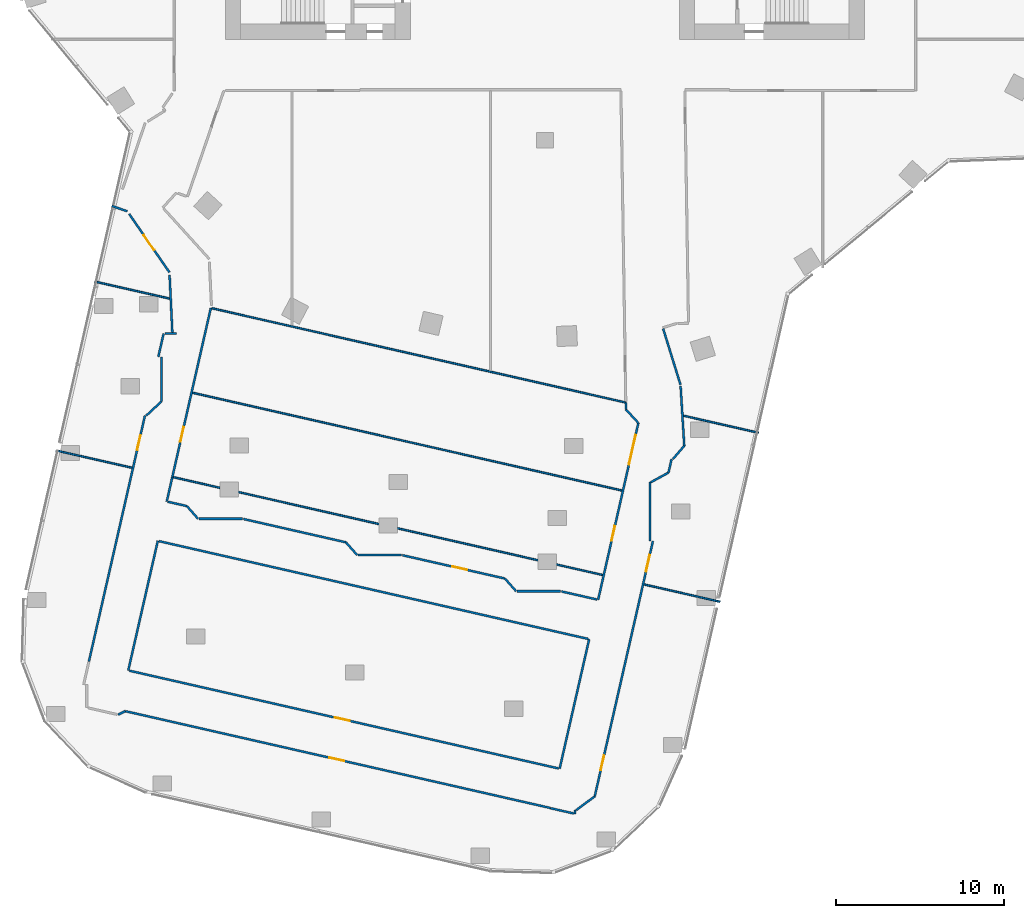
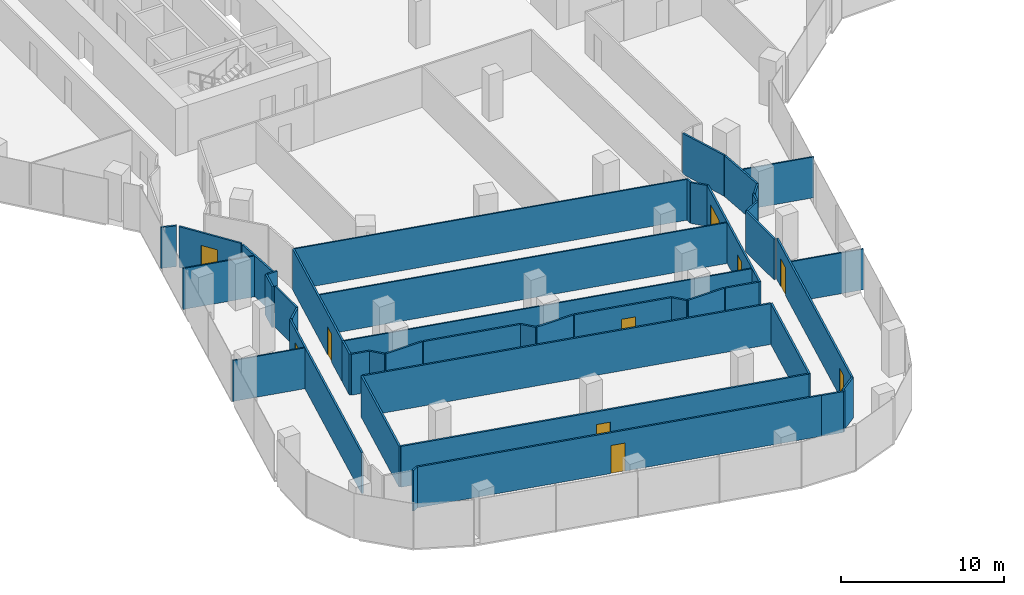
# One storey, part 18 of 24: 46 walls, 10 doors, 10 openings.
"""IFC4 building model written with IfcOpenShell, lengths in metres."""

from ifc_helpers import new_model, si_unit, direction, frame, frame_2d, origin, place, context, subcontext, project, spatial, rectangle, extrude, material, layer, layer_set, type_object, element, fill, save


model = new_model("IFC4")

# Units and contexts
model_context = context("Model", 3, precision=1e-05, world=origin(), true_north=direction((0.0, 1.0)))
body_context = subcontext(model_context, "Body", "Model", "MODEL_VIEW")
ifc_project = project(units=[si_unit("LENGTHUNIT", "METRE"), si_unit("AREAUNIT", "SQUARE_METRE"), si_unit("VOLUMEUNIT", "CUBIC_METRE"), si_unit("PLANEANGLEUNIT", "RADIAN"), si_unit("MASSUNIT", "GRAM", prefix="KILO")], contexts=[model_context])

# Site, building, storey
site_placement = place(None, origin())
site = spatial("IfcSite", under=ifc_project, at=site_placement, CompositionType="ELEMENT")
building_placement = place(site_placement, origin())
building = spatial("IfcBuilding", under=site, at=building_placement, Name="Orlundy Tower", CompositionType="ELEMENT")
storey_placement = place(building_placement, frame((0.0, 0.0, 177.60009765625)))
storey = spatial("IfcBuildingStorey", under=building, at=storey_placement, Name="L46", CompositionType="ELEMENT", Elevation=177.60009765625)

# Walls
ifc_material_1 = material(Name="Gypsum board partition")
ifc_layer_1 = layer(ifc_material_1, 0.10009765625)
ifc_layer_set_1 = layer_set([ifc_layer_1], Name="Floor partition 100")
wall_type_1 = type_object("IfcWallType", Name="Floor partition 100", PredefinedType="PARTITIONING", material=ifc_layer_set_1)
wall_1_placement = place(storey_placement, frame((-29.072998046875, -36.452880859375, 0.0), z_axis=(0.0, 0.0, 1.0), x_axis=(0.975041099452, -0.222024445455, 0.0)))
element("IfcWall", 1, at=wall_1_placement, inside=storey, type_object=wall_type_1, Name="wall-int-L46-023", PredefinedType="PARTITIONING", context=body_context, shape_type="SweptSolid", body=[
    extrude(rectangle(XDim=4.63037109375, YDim=0.10009765625, at=frame_2d((2.315185546875, 0.0))), origin(), (0.0, 0.0, 1.0), 3.059814453125),
])
wall_2_placement = place(storey_placement, frame((-22.094970703125, -38.04296875, 0.0), z_axis=(0.0, 0.0, 1.0), x_axis=(0.975023843859, -0.222100211404, 0.0)))
element("IfcWall", 2, at=wall_2_placement, inside=storey, type_object=wall_type_1, Name="wall-int-L46-024", PredefinedType="PARTITIONING", context=body_context, shape_type="SweptSolid", body=[
    extrude(rectangle(XDim=26.18603515625, YDim=0.10009765625, at=frame_2d((13.093017578125, 0.0))), origin(), (0.0, 0.0, 1.0), 3.059814453125),
])
wall_3_placement = place(storey_placement, frame((5.89990234375, -44.419921875, 0.0), z_axis=(0.0, 0.0, 1.0), x_axis=(0.975008438008, -0.222167832534, 0.0)))
element("IfcWall", 3, at=wall_3_placement, inside=storey, type_object=wall_type_1, Name="wall-int-L46-025", PredefinedType="PARTITIONING", context=body_context, shape_type="SweptSolid", body=[
    extrude(rectangle(XDim=4.6318359375, YDim=0.10009765625, at=frame_2d((2.31591796875, 0.0))), origin(), (0.0, 0.0, 1.0), 3.059814453125),
])
wall_4_placement = place(storey_placement, frame((-20.950927734375, -33.01904296875, 0.0), z_axis=(0.0, 0.0, 1.0), x_axis=(0.975025683381, -0.222092135715, 0.0)))
element("IfcWall", 4, at=wall_4_placement, inside=storey, type_object=wall_type_1, Name="wall-int-L46-026", PredefinedType="PARTITIONING", context=body_context, shape_type="SweptSolid", body=[
    extrude(rectangle(XDim=26.18701171875, YDim=0.10009765625, at=frame_2d((13.093505859375, 0.0))), origin(), (0.0, 0.0, 1.0), 3.059814453125),
])
wall_5_placement = place(storey_placement, frame((-26.783935546875, -26.404052734375, 0.0), z_axis=(0.0, 0.0, 1.0), x_axis=(0.975064044209, -0.221923657346, 0.0)))
element("IfcWall", 5, at=wall_5_placement, inside=storey, type_object=wall_type_1, Name="wall-int-L46-027", PredefinedType="PARTITIONING", context=body_context, shape_type="SweptSolid", body=[
    extrude(rectangle(XDim=4.56884765625, YDim=0.10009765625, at=frame_2d((2.284423828125, 0.0))), origin(), (0.0, 0.0, 1.0), 3.059814453125),
])
wall_6_placement = place(storey_placement, frame((-19.805908203125, -27.993896484375, 0.0), z_axis=(0.0, 0.0, 1.0), x_axis=(0.975005878079, -0.222179066769, 0.0)))
element("IfcWall", 6, at=wall_6_placement, inside=storey, type_object=wall_type_1, Name="wall-int-L46-028", PredefinedType="PARTITIONING", context=body_context, shape_type="SweptSolid", body=[
    extrude(rectangle(XDim=25.24609375, YDim=0.10009765625, at=frame_2d((12.623046875, 0.0))), origin(), (0.0, 0.0, 1.0), 3.059814453125),
])
wall_7_placement = place(storey_placement, frame((8.256103515625, -34.386962890625, 0.0), z_axis=(0.0, 0.0, 1.0), x_axis=(0.975047109618, -0.221998049597, 0.0)))
element("IfcWall", 7, at=wall_7_placement, inside=storey, type_object=wall_type_1, Name="wall-int-L46-029", PredefinedType="PARTITIONING", context=body_context, shape_type="SweptSolid", body=[
    extrude(rectangle(XDim=4.562744140625, YDim=0.10009765625, at=frame_2d((2.28125, 0.0))), origin(), (0.0, 0.0, 1.0), 3.059814453125),
])
ifc_material_2 = material(Name="Gypsum board partition, double layer")
ifc_layer_2 = layer(ifc_material_2, 0.125)
ifc_layer_set_2 = layer_set([ifc_layer_2], Name="Floor partition 125")
wall_type_2 = type_object("IfcWallType", Name="Floor partition 125", PredefinedType="PARTITIONING", material=ifc_layer_set_2)
wall_8_placement = place(storey_placement, frame((4.81298828125, -33.60205078125, 0.0), z_axis=(0.0, 0.0, 1.0), x_axis=(0.014888165056, -0.999889165128, 0.0)))
element("IfcWall", 8, at=wall_8_placement, inside=storey, type_object=wall_type_2, Name="wall-int-L46-002", PredefinedType="PARTITIONING", context=body_context, shape_type="SweptSolid", body=[
    extrude(rectangle(XDim=0.409912109375, YDim=0.125, at=frame_2d((0.205078125, 0.0))), origin(), (0.0, 0.0, 1.0), 3.059814453125),
])
wall_9_placement = place(storey_placement, frame((-22.322021484375, -26.007080078125, 0.0), z_axis=(0.0, 0.0, 1.0), x_axis=(0.048573949442, -0.998819589033, 0.0)))
element("IfcWall", 9, at=wall_9_placement, inside=storey, type_object=wall_type_2, Name="wall-int-L46-005", PredefinedType="PARTITIONING", context=body_context, shape_type="SweptSolid", body=[
    extrude(rectangle(XDim=3.43798828125, YDim=0.125, at=frame_2d((1.718994140625, 0.0))), origin(), (0.0, 0.0, 1.0), 3.059814453125),
])
wall_10_placement = place(storey_placement, frame((8.069091796875, -32.60888671875, 0.0), z_axis=(0.0, 0.0, 1.0), x_axis=(0.061565744527, -0.998103030303, 0.0)))
element("IfcWall", 10, at=wall_10_placement, inside=storey, type_object=wall_type_2, Name="wall-int-L46-007", PredefinedType="PARTITIONING", context=body_context, shape_type="SweptSolid", body=[
    extrude(rectangle(XDim=3.572998046875, YDim=0.125, at=frame_2d((1.78662109375, 0.0))), origin(), (0.0, 0.0, 1.0), 3.059814453125),
])
wall_11_placement = place(storey_placement, frame((7.033935546875, -29.2109375, 0.0), z_axis=(0.0, 0.0, 1.0), x_axis=(0.295358504145, -0.955386494582, 0.0)))
element("IfcWall", 11, at=wall_11_placement, inside=storey, type_object=wall_type_2, Name="wall-int-L46-008", PredefinedType="PARTITIONING", context=body_context, shape_type="SweptSolid", body=[
    extrude(rectangle(XDim=3.49072265625, YDim=0.125, at=frame_2d((1.745361328125, 0.0))), origin(), (0.0, 0.0, 1.0), 3.059814453125),
])

# Wall, opening, door
wall_12_placement = place(storey_placement, frame((-22.3291015625, -25.85693359375, 0.0), z_axis=(0.0, 0.0, 1.0), x_axis=(-0.567768105219, 0.823188543832, 0.0)))
wall_12 = element("IfcWall", 12, at=wall_12_placement, inside=storey, type_object=wall_type_2, Name="wall-int-L46-010", PredefinedType="PARTITIONING", context=body_context, shape_type="SweptSolid", body=[
    extrude(rectangle(XDim=4.219970703125, YDim=0.125, at=frame_2d((2.10986328125, 0.0))), origin(), (0.0, 0.0, 1.0), 3.059814453125),
])
opening_1_placement = place(wall_12_placement, frame((1.60009765625, 0.0, 0.0)))
opening_1 = element("IfcOpeningElement", 13, at=opening_1_placement, cuts=wall_12, Name="Opening 35112", PredefinedType="OPENING", context=body_context, shape_type="SweptSolid", body=[
    extrude(rectangle(XDim=1.10009765625, YDim=2.10009765625, at=frame_2d((0.550048828125, 1.050048828125))), frame((0.0, 0.072509765625, 0.0), z_axis=(0.0, -1.0, 0.0), x_axis=(1.0, 0.0, 0.0)), (0.0, 0.0, 1.0), 0.14501953125),
])
ifc_material_3 = material(Name="Timber door leaf", Category="wood")
door_type_1 = type_object("IfcDoorType", Name="Floor door xwide 1100 FD30S", OperationType="NOTDEFINED", PredefinedType="DOOR", material=ifc_material_3)
door_1_placement = place(opening_1_placement, origin())
door_1 = element("IfcDoor", 14, at=door_1_placement, inside=storey, type_object=door_type_1, Name="Door 35112", OperationType="SINGLE_SWING_RIGHT", OverallHeight=2.10009765625, OverallWidth=1.10009765625, PredefinedType="DOOR", context=body_context, shape_type="SweptSolid", body=[
    extrude(rectangle(XDim=1.10009765625, YDim=2.10009765625, at=frame_2d((0.550048828125, 1.050048828125))), frame((0.0, 0.02490234375, 0.0), z_axis=(0.0, -1.0, 0.0), x_axis=(1.0, 0.0, 0.0)), (0.0, 0.0, 1.0), 0.050048828125),
])
fill(opening_1, door_1)

# Walls
wall_13_placement = place(storey_placement, frame((-25.760009765625, -21.909912109375, 0.0), z_axis=(0.0, 0.0, 1.0), x_axis=(0.946161976611, -0.323693549544, 0.0)))
element("IfcWall", 15, at=wall_13_placement, inside=storey, type_object=wall_type_2, Name="wall-int-L46-013", PredefinedType="PARTITIONING", context=body_context, shape_type="SweptSolid", body=[
    extrude(rectangle(XDim=0.979736328125, YDim=0.125, at=frame_2d((0.48974609375, 0.0))), origin(), (0.0, 0.0, 1.0), 3.059814453125),
])
wall_14_placement = place(storey_placement, frame((0.342041015625, -57.72900390625, 0.0), z_axis=(0.0, 0.0, 1.0), x_axis=(0.975078596589, -0.22185970899, 0.0)))
element("IfcWall", 16, at=wall_14_placement, inside=storey, type_object=wall_type_2, Name="wall-int-L46-015", PredefinedType="PARTITIONING", context=body_context, shape_type="SweptSolid", body=[
    extrude(rectangle(XDim=1.4150390625, YDim=0.125, at=frame_2d((0.70751953125, 0.0))), origin(), (0.0, 0.0, 1.0), 3.059814453125),
])

# Wall, opening, door
wall_15_placement = place(storey_placement, frame((0.343994140625, -57.718994140625, 0.0), z_axis=(0.0, 0.0, 1.0), x_axis=(-0.97501877272, 0.222122472621, 0.0)))
wall_15 = element("IfcWall", 17, at=wall_15_placement, inside=storey, type_object=wall_type_2, Name="wall-int-L46-016", PredefinedType="PARTITIONING", context=body_context, shape_type="SweptSolid", body=[
    extrude(rectangle(XDim=25.94921875, YDim=0.125, at=frame_2d((12.974609375, 0.0))), origin(), (0.0, 0.0, 1.0), 3.059814453125),
])
opening_2_placement = place(wall_15_placement, frame((12.60009765625, 0.0, 0.0)))
opening_2 = element("IfcOpeningElement", 18, at=opening_2_placement, cuts=wall_15, Name="Opening 35106", PredefinedType="OPENING", context=body_context, shape_type="SweptSolid", body=[
    extrude(rectangle(XDim=0.89990234375, YDim=2.10009765625, at=frame_2d((0.449951171875, 1.050048828125))), frame((0.0, 0.072509765625, 0.0), z_axis=(0.0, -1.0, 0.0), x_axis=(1.0, 0.0, 0.0)), (0.0, 0.0, 1.0), 0.14501953125),
])
ifc_material_4 = material(Name="Timber door leaf", Category="wood")
door_type_2 = type_object("IfcDoorType", Name="Floor door single 900 FD30S", OperationType="NOTDEFINED", PredefinedType="DOOR", material=ifc_material_4)
door_2_placement = place(opening_2_placement, origin())
door_2 = element("IfcDoor", 19, at=door_2_placement, inside=storey, type_object=door_type_2, Name="Door 35106", OperationType="SINGLE_SWING_RIGHT", OverallHeight=2.10009765625, OverallWidth=0.89990234375, PredefinedType="DOOR", context=body_context, shape_type="SweptSolid", body=[
    extrude(rectangle(XDim=0.89990234375, YDim=2.10009765625, at=frame_2d((0.449951171875, 1.050048828125))), frame((0.0, 0.02490234375, 0.0), z_axis=(0.0, -1.0, 0.0), x_axis=(1.0, 0.0, 0.0)), (0.0, 0.0, 1.0), 0.050048828125),
])
fill(opening_2, door_2)

wall_16_placement = place(storey_placement, frame((-24.716064453125, -49.548095703125, 0.0), z_axis=(0.0, 0.0, 1.0), x_axis=(0.975023843859, -0.222100211404, 0.0)))
wall_16 = element("IfcWall", 20, at=wall_16_placement, inside=storey, type_object=wall_type_2, Name="wall-int-L46-017", PredefinedType="PARTITIONING", context=body_context, shape_type="SweptSolid", body=[
    extrude(rectangle(XDim=26.18603515625, YDim=0.125, at=frame_2d((13.093017578125, 0.0))), origin(), (0.0, 0.0, 1.0), 3.059814453125),
])
opening_3_placement = place(wall_16_placement, frame((12.53759765625, 0.0, 0.0)))
opening_3 = element("IfcOpeningElement", 21, at=opening_3_placement, cuts=wall_16, Name="Opening 35105", PredefinedType="OPENING", context=body_context, shape_type="SweptSolid", body=[
    extrude(rectangle(XDim=0.89990234375, YDim=2.10009765625, at=frame_2d((0.449951171875, 1.050048828125))), frame((0.0, 0.072509765625, 0.0), z_axis=(0.0, -1.0, 0.0), x_axis=(1.0, 0.0, 0.0)), (0.0, 0.0, 1.0), 0.14501953125),
])
door_3_placement = place(opening_3_placement, origin())
door_3 = element("IfcDoor", 22, at=door_3_placement, inside=storey, type_object=door_type_2, Name="Door 35105", OperationType="SINGLE_SWING_LEFT", OverallHeight=2.10009765625, OverallWidth=0.89990234375, PredefinedType="DOOR", context=body_context, shape_type="SweptSolid", body=[
    extrude(rectangle(XDim=0.89990234375, YDim=2.10009765625, at=frame_2d((0.449951171875, 1.050048828125))), frame((0.0, 0.02490234375, 0.0), z_axis=(0.0, -1.0, 0.0), x_axis=(1.0, 0.0, 0.0)), (0.0, 0.0, 1.0), 0.050048828125),
])
fill(opening_3, door_3)

# Walls
wall_17_placement = place(storey_placement, frame((-22.9609375, -41.843017578125, 0.0), z_axis=(0.0, 0.0, 1.0), x_axis=(0.975025683381, -0.222092135715, 0.0)))
element("IfcWall", 23, at=wall_17_placement, inside=storey, type_object=wall_type_2, Name="wall-int-L46-018", PredefinedType="PARTITIONING", context=body_context, shape_type="SweptSolid", body=[
    extrude(rectangle(XDim=26.18701171875, YDim=0.125, at=frame_2d((13.093505859375, 0.0))), origin(), (0.0, 0.0, 1.0), 3.059814453125),
])
wall_18_placement = place(storey_placement, frame((-22.427001953125, -39.501953125, 0.0), z_axis=(0.0, 0.0, 1.0), x_axis=(0.97511430892, -0.221702694026, 0.0)))
element("IfcWall", 24, at=wall_18_placement, inside=storey, type_object=wall_type_2, Name="wall-int-L46-019", PredefinedType="PARTITIONING", context=body_context, shape_type="SweptSolid", body=[
    extrude(rectangle(XDim=1.1640625, YDim=0.125, at=frame_2d((0.58203125, 0.0))), origin(), (0.0, 0.0, 1.0), 3.059814453125),
])
wall_19_placement = place(storey_placement, frame((-17.924072265625, -40.528076171875, 0.0), z_axis=(0.0, 0.0, 1.0), x_axis=(0.975041788435, -0.2220214197, 0.0)))
element("IfcWall", 25, at=wall_19_placement, inside=storey, type_object=wall_type_2, Name="wall-int-L46-020", PredefinedType="PARTITIONING", context=body_context, shape_type="SweptSolid", body=[
    extrude(rectangle(XDim=6.2470703125, YDim=0.125, at=frame_2d((3.12353515625, 0.0))), origin(), (0.0, 0.0, 1.0), 3.059814453125),
])

# Wall, opening, door
wall_20_placement = place(storey_placement, frame((-8.468994140625, -42.681884765625, 0.0), z_axis=(0.0, 0.0, 1.0), x_axis=(0.975048737106, -0.22199090132, 0.0)))
wall_20 = element("IfcWall", 26, at=wall_20_placement, inside=storey, type_object=wall_type_2, Name="wall-int-L46-021", PredefinedType="PARTITIONING", context=body_context, shape_type="SweptSolid", body=[
    extrude(rectangle(XDim=6.2490234375, YDim=0.125, at=frame_2d((3.12451171875, 0.0))), origin(), (0.0, 0.0, 1.0), 3.059814453125),
])
opening_4_placement = place(wall_20_placement, frame((3.03759765625, 0.0, 0.0)))
opening_4 = element("IfcOpeningElement", 27, at=opening_4_placement, cuts=wall_20, Name="Opening 35104", PredefinedType="OPENING", context=body_context, shape_type="SweptSolid", body=[
    extrude(rectangle(XDim=0.89990234375, YDim=2.10009765625, at=frame_2d((0.449951171875, 1.050048828125))), frame((0.0, 0.072509765625, 0.0), z_axis=(0.0, -1.0, 0.0), x_axis=(1.0, 0.0, 0.0)), (0.0, 0.0, 1.0), 0.14501953125),
])
door_4_placement = place(opening_4_placement, origin())
door_4 = element("IfcDoor", 28, at=door_4_placement, inside=storey, type_object=door_type_2, Name="Door 35104", OperationType="SINGLE_SWING_RIGHT", OverallHeight=2.10009765625, OverallWidth=0.89990234375, PredefinedType="DOOR", context=body_context, shape_type="SweptSolid", body=[
    extrude(rectangle(XDim=0.89990234375, YDim=2.10009765625, at=frame_2d((0.449951171875, 1.050048828125))), frame((0.0, 0.02490234375, 0.0), z_axis=(0.0, -1.0, 0.0), x_axis=(1.0, 0.0, 0.0)), (0.0, 0.0, 1.0), 0.050048828125),
])
fill(opening_4, door_4)

# Walls
wall_21_placement = place(storey_placement, frame((0.990966796875, -44.8369140625, 0.0), z_axis=(0.0, 0.0, 1.0), x_axis=(0.97505868901, -0.22194718513, 0.0)))
element("IfcWall", 29, at=wall_21_placement, inside=storey, type_object=wall_type_2, Name="wall-int-L46-022", PredefinedType="PARTITIONING", context=body_context, shape_type="SweptSolid", body=[
    extrude(rectangle(XDim=2.16796875, YDim=0.125, at=frame_2d((1.083984375, 0.0))), origin(), (0.0, 0.0, 1.0), 3.059814453125),
])
wall_22_placement = place(storey_placement, frame((1.861083984375, -57.842041015625, 0.0), z_axis=(0.0, 0.0, 1.0), x_axis=(0.803188576955, 0.595724860862, 0.0)))
element("IfcWall", 30, at=wall_22_placement, inside=storey, type_object=wall_type_2, Name="wall-int-L46-030", PredefinedType="PARTITIONING", context=body_context, shape_type="SweptSolid", body=[
    extrude(rectangle(XDim=1.373291015625, YDim=0.125, at=frame_2d((0.6865234375, 0.0))), origin(), (0.0, 0.0, 1.0), 3.059814453125),
])
wall_23_placement = place(storey_placement, frame((-1.65087890625, -44.822021484375, 0.0), z_axis=(0.0, 0.0, 1.0), x_axis=(1.0, 0.0, 0.0)))
element("IfcWall", 31, at=wall_23_placement, inside=storey, type_object=wall_type_2, Name="wall-int-L46-031", PredefinedType="PARTITIONING", context=body_context, shape_type="SweptSolid", body=[
    extrude(rectangle(XDim=2.580810546875, YDim=0.125, at=frame_2d((1.29052734375, 0.0))), origin(), (0.0, 0.0, 1.0), 3.059814453125),
])
wall_24_placement = place(storey_placement, frame((-11.10693359375, -42.6669921875, 0.0), z_axis=(0.0, 0.0, 1.0), x_axis=(1.0, 0.0, 0.0)))
element("IfcWall", 32, at=wall_24_placement, inside=storey, type_object=wall_type_2, Name="wall-int-L46-032", PredefinedType="PARTITIONING", context=body_context, shape_type="SweptSolid", body=[
    extrude(rectangle(XDim=2.576904296875, YDim=0.125, at=frame_2d((1.28857421875, 0.0))), origin(), (0.0, 0.0, 1.0), 3.059814453125),
])
wall_25_placement = place(storey_placement, frame((-20.56689453125, -40.512939453125, 0.0), z_axis=(0.0, 0.0, 1.0), x_axis=(1.0, 0.0, 0.0)))
element("IfcWall", 33, at=wall_25_placement, inside=storey, type_object=wall_type_2, Name="wall-int-L46-033", PredefinedType="PARTITIONING", context=body_context, shape_type="SweptSolid", body=[
    extrude(rectangle(XDim=2.581787109375, YDim=0.125, at=frame_2d((1.291015625, 0.0))), origin(), (0.0, 0.0, 1.0), 3.059814453125),
])
wall_26_placement = place(storey_placement, frame((6.302978515625, -38.342041015625, 0.0), z_axis=(0.0, 0.0, 1.0), x_axis=(0.877434318746, 0.479696796202, 0.0)))
element("IfcWall", 34, at=wall_26_placement, inside=storey, type_object=wall_type_2, Name="wall-int-L46-034", PredefinedType="PARTITIONING", context=body_context, shape_type="SweptSolid", body=[
    extrude(rectangle(XDim=1.194580078125, YDim=0.125, at=frame_2d((0.59716796875, 0.0))), origin(), (0.0, 0.0, 1.0), 3.059814453125),
])
wall_27_placement = place(storey_placement, frame((-23.708984375, -34.381103515625, 0.0), z_axis=(0.0, 0.0, 1.0), x_axis=(0.732207421562, 0.681081707147, 0.0)))
element("IfcWall", 35, at=wall_27_placement, inside=storey, type_object=wall_type_2, Name="wall-int-L46-035", PredefinedType="PARTITIONING", context=body_context, shape_type="SweptSolid", body=[
    extrude(rectangle(XDim=1.23193359375, YDim=0.125, at=frame_2d((0.615966796875, 0.0))), origin(), (0.0, 0.0, 1.0), 3.059814453125),
])
wall_28_placement = place(storey_placement, frame((-22.59912109375, -29.507080078125, 0.0), z_axis=(0.0, 0.0, 1.0), x_axis=(1.0, 0.0, 0.0)))
element("IfcWall", 36, at=wall_28_placement, inside=storey, type_object=wall_type_2, Name="wall-int-L46-036", PredefinedType="PARTITIONING", context=body_context, shape_type="SweptSolid", body=[
    extrude(rectangle(XDim=0.676025390625, YDim=0.125, at=frame_2d((0.337890625, 0.0))), origin(), (0.0, 0.0, 1.0), 3.059814453125),
])
wall_29_placement = place(storey_placement, frame((7.613037109375, -36.966064453125, 0.0), z_axis=(0.0, 0.0, 1.0), x_axis=(0.649689309886, 0.760199842554, 0.0)))
element("IfcWall", 37, at=wall_29_placement, inside=storey, type_object=wall_type_2, Name="wall-int-L46-049", PredefinedType="PARTITIONING", context=body_context, shape_type="SweptSolid", body=[
    extrude(rectangle(XDim=1.04052734375, YDim=0.125, at=frame_2d((0.520263671875, 0.0))), origin(), (0.0, 0.0, 1.0), 3.059814453125),
])
wall_30_placement = place(storey_placement, frame((4.820068359375, -34.012939453125, 0.0), z_axis=(0.0, 0.0, 1.0), x_axis=(0.676189811414, -0.736727452278, 0.0)))
element("IfcWall", 38, at=wall_30_placement, inside=storey, type_object=wall_type_2, Name="wall-int-L46-051", PredefinedType="PARTITIONING", context=body_context, shape_type="SweptSolid", body=[
    extrude(rectangle(XDim=1.093017578125, YDim=0.125, at=frame_2d((0.54638671875, 0.0))), origin(), (0.0, 0.0, 1.0), 3.059814453125),
])
wall_31_placement = place(storey_placement, frame((-25.376953125, -52.1669921875, 0.0), z_axis=(0.0, 0.0, 1.0), x_axis=(0.892760073249, 0.450532409058, 0.0)))
element("IfcWall", 39, at=wall_31_placement, inside=storey, type_object=wall_type_2, Name="wall-int-L46-059", PredefinedType="PARTITIONING", context=body_context, shape_type="SweptSolid", body=[
    extrude(rectangle(XDim=0.470458984375, YDim=0.125, at=frame_2d((0.2353515625, 0.0))), origin(), (0.0, 0.0, 1.0), 3.059814453125),
])

# Wall, openings, doors
wall_32_placement = place(storey_placement, frame((6.424072265625, -41.843994140625, 0.0), z_axis=(0.0, 0.0, 1.0), x_axis=(-0.222230368286, -0.974994186348, 0.0)))
wall_32 = element("IfcWall", 40, at=wall_32_placement, inside=storey, type_object=wall_type_2, Name="wall-int-L46-060", PredefinedType="PARTITIONING", context=body_context, shape_type="SweptSolid", body=[
    extrude(rectangle(XDim=15.5693359375, YDim=0.125, at=frame_2d((7.78466796875, 0.0))), origin(), (0.0, 0.0, 1.0), 3.059814453125),
])
opening_5_placement = place(wall_32_placement, frame((0.847900390625, 0.0, 0.0)))
opening_5 = element("IfcOpeningElement", 41, at=opening_5_placement, cuts=wall_32, Name="Opening 35100", PredefinedType="OPENING", context=body_context, shape_type="SweptSolid", body=[
    extrude(rectangle(XDim=1.0, YDim=2.10009765625, at=frame_2d((0.5, 1.050048828125))), frame((0.0, 0.072509765625, 0.0), z_axis=(0.0, -1.0, 0.0), x_axis=(1.0, 0.0, 0.0)), (0.0, 0.0, 1.0), 0.14501953125),
])
opening_6_placement = place(wall_32_placement, frame((13.07666015625, 0.0, 0.0)))
opening_6 = element("IfcOpeningElement", 42, at=opening_6_placement, cuts=wall_32, Name="Opening 35107", PredefinedType="OPENING", context=body_context, shape_type="SweptSolid", body=[
    extrude(rectangle(XDim=0.89990234375, YDim=2.10009765625, at=frame_2d((0.449951171875, 1.050048828125))), frame((0.0, 0.072509765625, 0.0), z_axis=(0.0, -1.0, 0.0), x_axis=(1.0, 0.0, 0.0)), (0.0, 0.0, 1.0), 0.14501953125),
])
door_5_placement = place(opening_6_placement, origin())
door_5 = element("IfcDoor", 43, at=door_5_placement, inside=storey, type_object=door_type_2, Name="Door 35107", OperationType="SINGLE_SWING_RIGHT", OverallHeight=2.10009765625, OverallWidth=0.89990234375, PredefinedType="DOOR", context=body_context, shape_type="SweptSolid", body=[
    extrude(rectangle(XDim=0.89990234375, YDim=2.10009765625, at=frame_2d((0.449951171875, 1.050048828125))), frame((0.0, 0.02490234375, 0.0), z_axis=(0.0, -1.0, 0.0), x_axis=(1.0, 0.0, 0.0)), (0.0, 0.0, 1.0), 0.050048828125),
])
fill(opening_6, door_5)
ifc_material_5 = material(Name="Timber door leaf", Category="wood")
door_type_3 = type_object("IfcDoorType", Name="Floor door wide 1000 FD30S", OperationType="NOTDEFINED", PredefinedType="DOOR", material=ifc_material_5)
door_6_placement = place(opening_5_placement, origin())
door_6 = element("IfcDoor", 44, at=door_6_placement, inside=storey, type_object=door_type_3, Name="Door 35100", OperationType="SINGLE_SWING_LEFT", OverallHeight=2.10009765625, OverallWidth=1.0, PredefinedType="DOOR", context=body_context, shape_type="SweptSolid", body=[
    extrude(rectangle(XDim=1.0, YDim=2.10009765625, at=frame_2d((0.5, 1.050048828125))), frame((0.0, 0.02490234375, 0.0), z_axis=(0.0, -1.0, 0.0), x_axis=(1.0, 0.0, 0.0)), (0.0, 0.0, 1.0), 0.050048828125),
])
fill(opening_5, door_6)

# Walls
wall_33_placement = place(storey_placement, frame((7.35107421875, -37.76904296875, 0.0), z_axis=(0.0, 0.0, 1.0), x_axis=(0.222043922605, 0.975036664149, 0.0)))
element("IfcWall", 45, at=wall_33_placement, inside=storey, type_object=wall_type_2, Name="wall-int-L46-061", PredefinedType="PARTITIONING", context=body_context, shape_type="SweptSolid", body=[
    extrude(rectangle(XDim=0.823486328125, YDim=0.125, at=frame_2d((0.41162109375, 0.0))), origin(), (0.0, 0.0, 1.0), 3.059814453125),
])
wall_34_placement = place(storey_placement, frame((0.876953125, -55.3779296875, 0.0), z_axis=(0.0, 0.0, 1.0), x_axis=(0.222196517333, 0.975001901375, 0.0)))
element("IfcWall", 46, at=wall_34_placement, inside=storey, type_object=wall_type_2, Name="wall-int-L46-062", PredefinedType="PARTITIONING", context=body_context, shape_type="SweptSolid", body=[
    extrude(rectangle(XDim=7.9033203125, YDim=0.125, at=frame_2d((3.95166015625, 0.0))), origin(), (0.0, 0.0, 1.0), 3.059814453125),
])

# Wall, openings, doors
wall_35_placement = place(storey_placement, frame((3.166015625, -45.33203125, 0.0), z_axis=(0.0, 0.0, 1.0), x_axis=(0.221933270953, 0.975061856112, 0.0)))
wall_35 = element("IfcWall", 47, at=wall_35_placement, inside=storey, type_object=wall_type_2, Name="wall-int-L46-063", PredefinedType="PARTITIONING", context=body_context, shape_type="SweptSolid", body=[
    extrude(rectangle(XDim=10.78271484375, YDim=0.125, at=frame_2d((5.391357421875, 0.0))), origin(), (0.0, 0.0, 1.0), 3.059814453125),
])
opening_7_placement = place(wall_35_placement, frame((8.2490234375, 0.0, 0.0)))
opening_7 = element("IfcOpeningElement", 48, at=opening_7_placement, cuts=wall_35, Name="Opening 35101", PredefinedType="OPENING", context=body_context, shape_type="SweptSolid", body=[
    extrude(rectangle(XDim=1.800048828125, YDim=2.10009765625, at=frame_2d((0.89990234375, 1.050048828125))), frame((0.0, 0.072509765625, 0.0), z_axis=(0.0, -1.0, 0.0), x_axis=(1.0, 0.0, 0.0)), (0.0, 0.0, 1.0), 0.14501953125),
])
opening_8_placement = place(wall_35_placement, frame((3.59619140625, 0.0, 0.0)))
opening_8 = element("IfcOpeningElement", 49, at=opening_8_placement, cuts=wall_35, Name="Opening 35103", PredefinedType="OPENING", context=body_context, shape_type="SweptSolid", body=[
    extrude(rectangle(XDim=0.89990234375, YDim=2.10009765625, at=frame_2d((0.449951171875, 1.050048828125))), frame((0.0, 0.072509765625, 0.0), z_axis=(0.0, -1.0, 0.0), x_axis=(1.0, 0.0, 0.0)), (0.0, 0.0, 1.0), 0.14501953125),
])
ifc_material_6 = material(Name="Timber door leaf", Category="wood")
door_type_4 = type_object("IfcDoorType", Name="Floor door double 1800 FD30S", OperationType="NOTDEFINED", PredefinedType="DOOR", material=ifc_material_6)
door_7_placement = place(opening_7_placement, origin())
door_7 = element("IfcDoor", 50, at=door_7_placement, inside=storey, type_object=door_type_4, Name="Door 35101", OperationType="DOUBLE_DOOR_SINGLE_SWING", OverallHeight=2.10009765625, OverallWidth=1.800048828125, PredefinedType="DOOR", context=body_context, shape_type="SweptSolid", body=[
    extrude(rectangle(XDim=1.800048828125, YDim=2.10009765625, at=frame_2d((0.89990234375, 1.050048828125))), frame((0.0, 0.02490234375, 0.0), z_axis=(0.0, -1.0, 0.0), x_axis=(1.0, 0.0, 0.0)), (0.0, 0.0, 1.0), 0.050048828125),
])
fill(opening_7, door_7)
door_8_placement = place(opening_8_placement, origin())
door_8 = element("IfcDoor", 51, at=door_8_placement, inside=storey, type_object=door_type_2, Name="Door 35103", OperationType="SINGLE_SWING_LEFT", OverallHeight=2.10009765625, OverallWidth=0.89990234375, PredefinedType="DOOR", context=body_context, shape_type="SweptSolid", body=[
    extrude(rectangle(XDim=0.89990234375, YDim=2.10009765625, at=frame_2d((0.449951171875, 1.050048828125))), frame((0.0, 0.02490234375, 0.0), z_axis=(0.0, -1.0, 0.0), x_axis=(1.0, 0.0, 0.0)), (0.0, 0.0, 1.0), 0.050048828125),
])
fill(opening_8, door_8)

# Wall
wall_36_placement = place(storey_placement, frame((-24.777099609375, -49.533935546875, 0.0), z_axis=(0.0, 0.0, 1.0), x_axis=(0.222163061165, 0.975009525212, 0.0)))
element("IfcWall", 52, at=wall_36_placement, inside=storey, type_object=wall_type_2, Name="wall-int-L46-064", PredefinedType="PARTITIONING", context=body_context, shape_type="SweptSolid", body=[
    extrude(rectangle(XDim=7.904541015625, YDim=0.125, at=frame_2d((3.9521484375, 0.0))), origin(), (0.0, 0.0, 1.0), 3.059814453125),
])

# Wall, opening, door
wall_37_placement = place(storey_placement, frame((-19.867919921875, -27.98193359375, 0.0), z_axis=(0.0, 0.0, 1.0), x_axis=(-0.222050161604, -0.975035243328, 0.0)))
wall_37 = element("IfcWall", 53, at=wall_37_placement, inside=storey, type_object=wall_type_2, Name="wall-int-L46-065", PredefinedType="PARTITIONING", context=body_context, shape_type="SweptSolid", body=[
    extrude(rectangle(XDim=10.304443359375, YDim=0.125, at=frame_2d((5.15234375, 0.0))), origin(), (0.0, 0.0, 1.0), 3.059814453125),
])
opening_9_placement = place(wall_37_placement, frame((7.251953125, 0.0, 0.0)))
opening_9 = element("IfcOpeningElement", 54, at=opening_9_placement, cuts=wall_37, Name="Opening 35102", PredefinedType="OPENING", context=body_context, shape_type="SweptSolid", body=[
    extrude(rectangle(XDim=0.89990234375, YDim=2.10009765625, at=frame_2d((0.449951171875, 1.050048828125))), frame((0.0, 0.072509765625, 0.0), z_axis=(0.0, -1.0, 0.0), x_axis=(1.0, 0.0, 0.0)), (0.0, 0.0, 1.0), 0.14501953125),
])
door_9_placement = place(opening_9_placement, origin())
door_9 = element("IfcDoor", 55, at=door_9_placement, inside=storey, type_object=door_type_2, Name="Door 35102", OperationType="SINGLE_SWING_RIGHT", OverallHeight=2.10009765625, OverallWidth=0.89990234375, PredefinedType="DOOR", context=body_context, shape_type="SweptSolid", body=[
    extrude(rectangle(XDim=0.89990234375, YDim=2.10009765625, at=frame_2d((0.449951171875, 1.050048828125))), frame((0.0, 0.02490234375, 0.0), z_axis=(0.0, -1.0, 0.0), x_axis=(1.0, 0.0, 0.0)), (0.0, 0.0, 1.0), 0.050048828125),
])
fill(opening_9, door_9)

# Wall
wall_38_placement = place(storey_placement, frame((-22.488037109375, -39.488037109375, 0.0), z_axis=(0.0, 0.0, 1.0), x_axis=(0.221903185503, 0.975068703356, 0.0)))
element("IfcWall", 56, at=wall_38_placement, inside=storey, type_object=wall_type_2, Name="wall-int-L46-066", PredefinedType="PARTITIONING", context=body_context, shape_type="SweptSolid", body=[
    extrude(rectangle(XDim=1.496337890625, YDim=0.125, at=frame_2d((0.748046875, 0.0))), origin(), (0.0, 0.0, 1.0), 3.059814453125),
])

# Wall, opening, door
wall_39_placement = place(storey_placement, frame((-27.117919921875, -49.0009765625, 0.0), z_axis=(0.0, 0.0, 1.0), x_axis=(0.222212898452, 0.974998168081, 0.0)))
wall_39 = element("IfcWall", 57, at=wall_39_placement, inside=storey, type_object=wall_type_2, Name="wall-int-L46-067", PredefinedType="PARTITIONING", context=body_context, shape_type="SweptSolid", body=[
    extrude(rectangle(XDim=14.994873046875, YDim=0.125, at=frame_2d((7.49755859375, 0.0))), origin(), (0.0, 0.0, 1.0), 3.059814453125),
])
opening_10_placement = place(wall_39_placement, frame((12.900634765625, 0.0, 0.0)))
opening_10 = element("IfcOpeningElement", 58, at=opening_10_placement, cuts=wall_39, Name="Opening 35108", PredefinedType="OPENING", context=body_context, shape_type="SweptSolid", body=[
    extrude(rectangle(XDim=0.89990234375, YDim=2.10009765625, at=frame_2d((0.449951171875, 1.050048828125))), frame((0.0, 0.072509765625, 0.0), z_axis=(0.0, -1.0, 0.0), x_axis=(1.0, 0.0, 0.0)), (0.0, 0.0, 1.0), 0.14501953125),
])
door_10_placement = place(opening_10_placement, origin())
door_10 = element("IfcDoor", 59, at=door_10_placement, inside=storey, type_object=door_type_2, Name="Door 35108", OperationType="SINGLE_SWING_RIGHT", OverallHeight=2.10009765625, OverallWidth=0.89990234375, PredefinedType="DOOR", context=body_context, shape_type="SweptSolid", body=[
    extrude(rectangle(XDim=0.89990234375, YDim=2.10009765625, at=frame_2d((0.449951171875, 1.050048828125))), frame((0.0, 0.02490234375, 0.0), z_axis=(0.0, -1.0, 0.0), x_axis=(1.0, 0.0, 0.0)), (0.0, 0.0, 1.0), 0.050048828125),
])
fill(opening_10, door_10)

# Walls
wall_40_placement = place(storey_placement, frame((-22.989990234375, -30.882080078125, 0.0), z_axis=(0.0, 0.0, 1.0), x_axis=(0.221950340639, 0.975057970733, 0.0)))
element("IfcWall", 60, at=wall_40_placement, inside=storey, type_object=wall_type_2, Name="wall-int-L46-068", PredefinedType="PARTITIONING", context=body_context, shape_type="SweptSolid", body=[
    extrude(rectangle(XDim=1.41015625, YDim=0.125, at=frame_2d((0.705078125, 0.0))), origin(), (0.0, 0.0, 1.0), 3.059814453125),
])
wall_41_placement = place(storey_placement, frame((6.240966796875, -41.841064453125, 0.0), z_axis=(0.0, 0.0, 1.0), x_axis=(0.0, 1.0, 0.0)))
element("IfcWall", 61, at=wall_41_placement, inside=storey, type_object=wall_type_2, Name="wall-int-L46-073", PredefinedType="PARTITIONING", context=body_context, shape_type="SweptSolid", body=[
    extrude(rectangle(XDim=3.4990234375, YDim=0.125, at=frame_2d((1.74951171875, 0.0))), origin(), (0.0, 0.0, 1.0), 3.059814453125),
])
wall_42_placement = place(storey_placement, frame((1.798095703125, -58.06005859375, 0.0), z_axis=(0.0, 0.0, 1.0), x_axis=(0.0, 1.0, 0.0)))
element("IfcWall", 62, at=wall_42_placement, inside=storey, type_object=wall_type_2, Name="wall-int-L46-075", PredefinedType="PARTITIONING", context=body_context, shape_type="SweptSolid", body=[
    extrude(rectangle(XDim=0.218017578125, YDim=0.125, at=frame_2d((0.10888671875, 0.0))), origin(), (0.0, 0.0, 1.0), 3.059814453125),
])
wall_43_placement = place(storey_placement, frame((-1.712890625, -44.822021484375, 0.0), z_axis=(0.0, 0.0, 1.0), x_axis=(-0.660913097692, 0.750462442298, 0.0)))
element("IfcWall", 63, at=wall_43_placement, inside=storey, type_object=wall_type_2, Name="wall-int-L46-077", PredefinedType="PARTITIONING", context=body_context, shape_type="SweptSolid", body=[
    extrude(rectangle(XDim=1.003173828125, YDim=0.125, at=frame_2d((0.50146484375, 0.0))), origin(), (0.0, 0.0, 1.0), 3.059814453125),
])
wall_44_placement = place(storey_placement, frame((-11.169921875, -42.6669921875, 0.0), z_axis=(0.0, 0.0, 1.0), x_axis=(-0.66139609203, 0.750036805395, 0.0)))
element("IfcWall", 64, at=wall_44_placement, inside=storey, type_object=wall_type_2, Name="wall-int-L46-079", PredefinedType="PARTITIONING", context=body_context, shape_type="SweptSolid", body=[
    extrude(rectangle(XDim=1.00244140625, YDim=0.125, at=frame_2d((0.501220703125, 0.0))), origin(), (0.0, 0.0, 1.0), 3.059814453125),
])
wall_45_placement = place(storey_placement, frame((-20.62890625, -40.512939453125, 0.0), z_axis=(0.0, 0.0, 1.0), x_axis=(-0.660913097692, 0.750462442298, 0.0)))
element("IfcWall", 65, at=wall_45_placement, inside=storey, type_object=wall_type_2, Name="wall-int-L46-082", PredefinedType="PARTITIONING", context=body_context, shape_type="SweptSolid", body=[
    extrude(rectangle(XDim=1.003173828125, YDim=0.125, at=frame_2d((0.50146484375, 0.0))), origin(), (0.0, 0.0, 1.0), 3.059814453125),
])
wall_46_placement = place(storey_placement, frame((-22.806884765625, -33.5419921875, 0.0), z_axis=(0.0, 0.0, 1.0), x_axis=(0.0, 1.0, 0.0)))
element("IfcWall", 66, at=wall_46_placement, inside=storey, type_object=wall_type_2, Name="wall-int-L46-084", PredefinedType="PARTITIONING", context=body_context, shape_type="SweptSolid", body=[
    extrude(rectangle(XDim=2.659912109375, YDim=0.125, at=frame_2d((1.330078125, 0.0))), origin(), (0.0, 0.0, 1.0), 3.059814453125),
])

save(model, "model.ifc")
